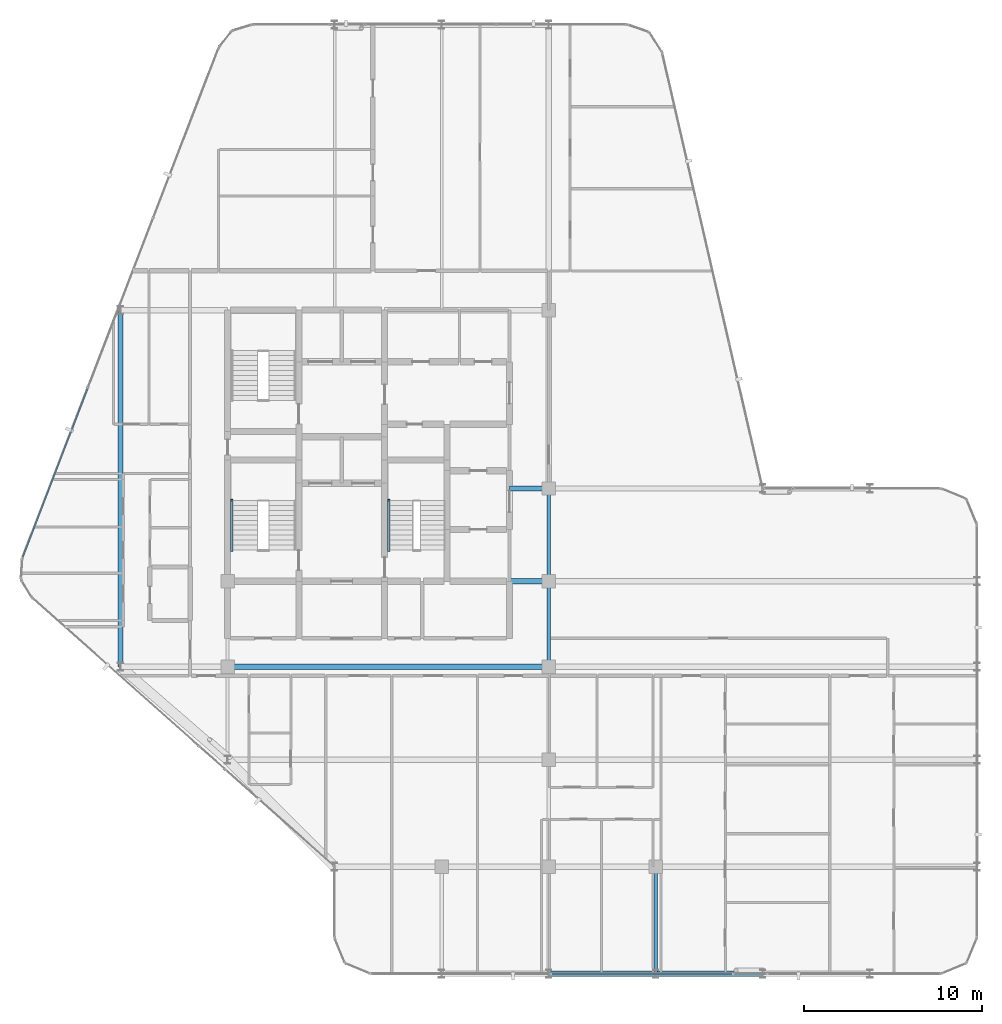
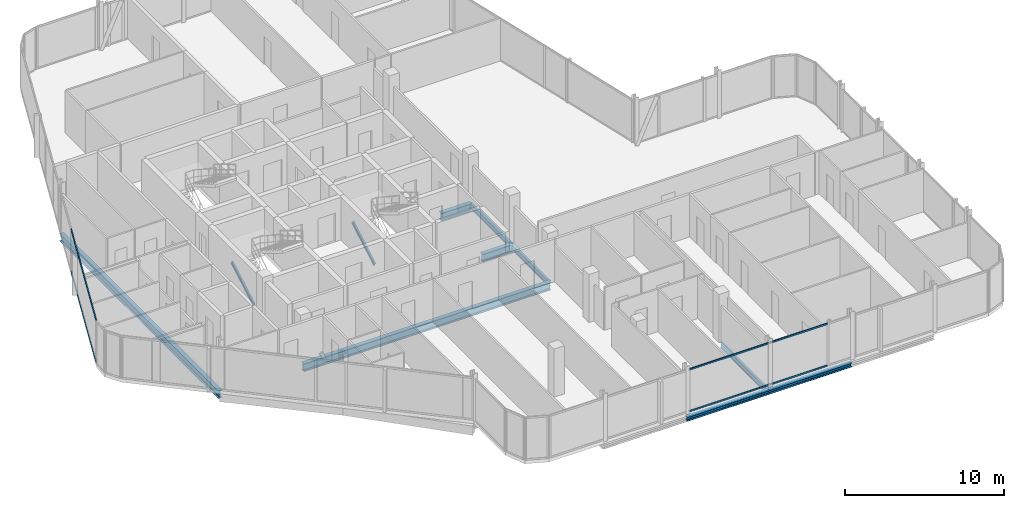
# One storey, part 9 of 28: 9 beams, 6 members, 2 elements without a shape of their own.
"""IFC4 building model written with IfcOpenShell, lengths in metres."""

from ifc_helpers import new_model, si_unit, direction, frame, origin, origin_2d, place, context, subcontext, project, spatial, hollow_rectangle, i_section, extrude, material, layer, layer_set, material_profile, profile_set, type_object, element, aggregate, save


model = new_model("IFC4")

# Units and contexts
model_context = context("Model", 3, precision=1e-05, world=origin(), true_north=direction((0.0, 1.0)))
body_context = subcontext(model_context, "Body", "Model", "MODEL_VIEW")
ifc_project = project(units=[si_unit("LENGTHUNIT", "METRE"), si_unit("AREAUNIT", "SQUARE_METRE"), si_unit("VOLUMEUNIT", "CUBIC_METRE"), si_unit("PLANEANGLEUNIT", "RADIAN"), si_unit("MASSUNIT", "GRAM", prefix="KILO")], contexts=[model_context])

# Site, building, storey
site_placement = place(None, origin())
site = spatial("IfcSite", under=ifc_project, at=site_placement, CompositionType="ELEMENT")
building_placement = place(site_placement, origin())
building = spatial("IfcBuilding", under=site, at=building_placement, Name="Keshet Zoharim Tower", CompositionType="ELEMENT")
storey_placement = place(building_placement, frame((0.0, 0.0, 233.89990234375)))
storey = spatial("IfcBuildingStorey", under=building, at=storey_placement, Name="L58", CompositionType="ELEMENT", Elevation=233.89990234375)

# Beams
ifc_material_1 = material(Name="Steel S355", Category="steel")
ifc_material_profile_1 = material_profile(ifc_material_1, i_section(OverallWidth=0.300048828125, OverallDepth=0.60009765625, WebThickness=0.015380859375, FlangeThickness=0.030029296875, FilletRadius=0.027099609375, at=origin_2d()), Name="HEB600")
ifc_profile_set_1 = profile_set([ifc_material_profile_1], Name="Steel S355")
beam_type_1 = type_object("IfcBeamType", Name="BM-CLK-HB600", PredefinedType="BEAM", material=ifc_profile_set_1)
for number, where, z_axis, x_axis, name in (
    (1, (30.800048828125, 22.699951171875, -0.60986328125), (1.0, 0.0, 0.0), (0.0, 1.0, 0.0), "L58 Core Wall Link Girder 01"),
    (2, (30.800048828125, 27.89990234375, -0.60986328125), (1.0, 0.0, 0.0), (0.0, 1.0, 0.0), "L58 Core Wall Link Girder 02"),
):
    element("IfcBeam", number, at=place(storey_placement, frame(where, z_axis=z_axis, x_axis=x_axis)), inside=storey, type_object=beam_type_1, Name=name, PredefinedType="BEAM", context=body_context, shape_type="SweptSolid", body=[
        extrude(i_section(OverallWidth=0.300048828125, OverallDepth=0.60009765625, WebThickness=0.015380859375, FlangeThickness=0.030029296875, FilletRadius=0.027099609375, at=origin_2d()), origin(), (0.0, 0.0, 1.0), 2.199951171875),
    ])
ifc_material_profile_2 = material_profile(ifc_material_1, i_section(OverallWidth=0.300048828125, OverallDepth=0.60009765625, WebThickness=0.015380859375, FlangeThickness=0.030029296875, FilletRadius=0.027099609375, at=origin_2d()), Name="HEB600")
ifc_profile_set_2 = profile_set([ifc_material_profile_2], Name="Steel S355")
beam_type_2 = type_object("IfcBeamType", Name="BM-LNG-HB600", PredefinedType="BEAM", material=ifc_profile_set_2)
beam_1_placement = place(storey_placement, frame((15.0, 17.89990234375, -0.60986328125), z_axis=(1.0, 0.0, 0.0), x_axis=(0.0, 1.0, 0.0)))
element("IfcBeam", 3, at=beam_1_placement, inside=storey, type_object=beam_type_2, Name="L58 Primary Girder X-012", PredefinedType="BEAM", context=body_context, shape_type="SweptSolid", body=[
    extrude(i_section(OverallWidth=0.300048828125, OverallDepth=0.60009765625, WebThickness=0.015380859375, FlangeThickness=0.030029296875, FilletRadius=0.027099609375, at=origin_2d()), origin(), (0.0, 0.0, 1.0), 18.0),
])
beam_2_placement = place(storey_placement, frame((9.0, 17.89990234375, -0.60986328125), z_axis=(0.0, 1.0, 0.0), x_axis=(-1.0, 0.0, 0.0)))
element("IfcBeam", 4, at=beam_2_placement, inside=storey, type_object=beam_type_2, Name="L58 Primary Girder Y-001", PredefinedType="BEAM", context=body_context, shape_type="SweptSolid", body=[
    extrude(i_section(OverallWidth=0.300048828125, OverallDepth=0.60009765625, WebThickness=0.015380859375, FlangeThickness=0.030029296875, FilletRadius=0.027099609375, at=origin_2d()), origin(), (0.0, 0.0, 1.0), 20.0),
])
ifc_material_profile_3 = material_profile(ifc_material_1, i_section(OverallWidth=0.300048828125, OverallDepth=0.300048828125, WebThickness=0.010986328125, FlangeThickness=0.01904296875, FilletRadius=0.027099609375, at=origin_2d()), Name="HEB300")
ifc_profile_set_3 = profile_set([ifc_material_profile_3], Name="Steel S355")
beam_type_3 = type_object("IfcBeamType", Name="BM-PRI-HB300", PredefinedType="BEAM", material=ifc_profile_set_3)
for number, where, z_axis, x_axis, name in (
    (5, (33.0, 0.699951171875, -0.4599609375), (1.0, 0.0, 0.0), (0.0, 1.0, 0.0), "L58 Primary Girder X-002"),
    (6, (39.0, 0.699951171875, -0.4599609375), (1.0, 0.0, 0.0), (0.0, 1.0, 0.0), "L58 Primary Girder X-003"),
):
    element("IfcBeam", number, at=place(storey_placement, frame(where, z_axis=z_axis, x_axis=x_axis)), inside=storey, type_object=beam_type_3, Name=name, PredefinedType="BEAM", context=body_context, shape_type="SweptSolid", body=[
        extrude(i_section(OverallWidth=0.300048828125, OverallDepth=0.300048828125, WebThickness=0.010986328125, FlangeThickness=0.01904296875, FilletRadius=0.027099609375, at=origin_2d()), origin(), (0.0, 0.0, 1.0), 6.0),
    ])
ifc_material_profile_4 = material_profile(ifc_material_1, i_section(OverallWidth=0.179931640625, OverallDepth=0.39990234375, WebThickness=0.008544921875, FlangeThickness=0.013427734375, FilletRadius=0.02099609375, at=origin_2d()), Name="IPE400")
ifc_profile_set_4 = profile_set([ifc_material_profile_4], Name="Steel S355")
beam_type_4 = type_object("IfcBeamType", Name="BM-PRI-IP400", PredefinedType="BEAM", material=ifc_profile_set_4)
beam_3_placement = place(storey_placement, frame((33.0, 17.89990234375, -0.510009765625), z_axis=(0.0, 1.0, 0.0), x_axis=(-1.0, 0.0, 0.0)))
element("IfcBeam", 7, at=beam_3_placement, inside=storey, type_object=beam_type_4, Name="L58 Primary Girder Y-008", PredefinedType="BEAM", context=body_context, shape_type="SweptSolid", body=[
    extrude(i_section(OverallWidth=0.179931640625, OverallDepth=0.39990234375, WebThickness=0.008544921875, FlangeThickness=0.013427734375, FilletRadius=0.02099609375, at=origin_2d()), origin(), (0.0, 0.0, 1.0), 4.800048828125),
])
beam_4_placement = place(storey_placement, frame((33.0, 22.699951171875, -0.510009765625), z_axis=(0.0, 1.0, 0.0), x_axis=(-1.0, 0.0, 0.0)))
element("IfcBeam", 8, at=beam_4_placement, inside=storey, type_object=beam_type_4, Name="L58 Primary Girder Y-009", PredefinedType="BEAM", context=body_context, shape_type="SweptSolid", body=[
    extrude(i_section(OverallWidth=0.179931640625, OverallDepth=0.39990234375, WebThickness=0.008544921875, FlangeThickness=0.013427734375, FilletRadius=0.02099609375, at=origin_2d()), origin(), (0.0, 0.0, 1.0), 5.199951171875),
])
beam_5_placement = place(storey_placement, frame((39.0, 0.699951171875, -0.510009765625), z_axis=(0.0, 1.0, 0.0), x_axis=(-1.0, 0.0, 0.0)))
element("IfcBeam", 9, at=beam_5_placement, inside=storey, type_object=beam_type_4, Name="L58 Primary Girder Y-012", PredefinedType="BEAM", context=body_context, shape_type="SweptSolid", body=[
    extrude(i_section(OverallWidth=0.179931640625, OverallDepth=0.39990234375, WebThickness=0.008544921875, FlangeThickness=0.013427734375, FilletRadius=0.02099609375, at=origin_2d()), origin(), (0.0, 0.0, 1.0), 6.0),
])

# Curtain wall, members
ifc_material_2 = material(Name="Aluminium 6063-T6", Category="aluminium")
ifc_layer = layer(ifc_material_2, 0.139892578125)
ifc_layer_set = layer_set([ifc_layer], Name="Aluminium 6063-T6")
curtain_wall_type = type_object("IfcCurtainWallType", Name="CW-SYS-05", PredefinedType="NOTDEFINED", material=ifc_layer_set)
curtain_wall_1_placement = place(storey_placement, origin())
curtain_wall_1 = element("IfcCurtainWall", 10, at=curtain_wall_1_placement, inside=storey, type_object=curtain_wall_type, Name="L58 Unitised Curtain Wall 06 Part 3", PredefinedType="NOTDEFINED")
ifc_material_profile_5 = material_profile(ifc_material_2, hollow_rectangle(XDim=0.074951171875, YDim=0.1201171875, WallThickness=0.00390625, at=origin_2d()), Name="TRN-75x120")
ifc_profile_set_5 = profile_set([ifc_material_profile_5], Name="Aluminium 6063-T6")
member_type_1 = type_object("IfcMemberType", Name="CWT-T12", PredefinedType="USERDEFINED", material=ifc_profile_set_5)
member_1_placement = place(storey_placement, frame((43.27587890625, 0.699951171875, 0.03515625), z_axis=(-1.0, 0.0, 0.0), x_axis=(0.0, -1.0, 0.0)))
member_1 = element("IfcMember", 11, at=member_1_placement, type_object=member_type_1, Name="CW-05 transom 1.1", ObjectType="TRANSOM", PredefinedType="USERDEFINED", context=body_context, shape_type="SweptSolid", body=[
    extrude(hollow_rectangle(XDim=0.074951171875, YDim=0.1201171875, WallThickness=0.00390625, at=origin_2d()), origin(), (0.0, 0.0, 1.0), 10.10302734375),
])
member_2_placement = place(storey_placement, frame((43.27587890625, 0.699951171875, 3.2451171875), z_axis=(-1.0, 0.0, 0.0), x_axis=(0.0, -1.0, 0.0)))
member_2 = element("IfcMember", 12, at=member_2_placement, type_object=member_type_1, Name="CW-05 transom 1.2", ObjectType="TRANSOM", PredefinedType="USERDEFINED", context=body_context, shape_type="SweptSolid", body=[
    extrude(hollow_rectangle(XDim=0.074951171875, YDim=0.1201171875, WallThickness=0.00390625, at=origin_2d()), origin(), (0.0, 0.0, 1.0), 10.10302734375),
])
aggregate(curtain_wall_1, [member_1, member_2])

curtain_wall_2_placement = place(storey_placement, origin())
curtain_wall_2 = element("IfcCurtainWall", 13, at=curtain_wall_2_placement, inside=storey, type_object=curtain_wall_type, Name="L58 Unitised Curtain Wall 13", PredefinedType="NOTDEFINED")
member_3_placement = place(storey_placement, frame((3.522216796875, 24.058349609375, 0.03515625), z_axis=(0.358993631387, 0.93334000912, 0.0), x_axis=(-0.93334000912, 0.358993631387, 0.0)))
member_3 = element("IfcMember", 14, at=member_3_placement, type_object=member_type_1, Name="CW-05 transom 1.1", ObjectType="TRANSOM", PredefinedType="USERDEFINED", context=body_context, shape_type="SweptSolid", body=[
    extrude(hollow_rectangle(XDim=0.074951171875, YDim=0.1201171875, WallThickness=0.00390625, at=origin_2d()), origin(), (0.0, 0.0, 1.0), 10.1181640625),
])
member_4_placement = place(storey_placement, frame((3.522216796875, 24.058349609375, 3.2451171875), z_axis=(0.358993631387, 0.93334000912, 0.0), x_axis=(-0.93334000912, 0.358993631387, 0.0)))
member_4 = element("IfcMember", 15, at=member_4_placement, type_object=member_type_1, Name="CW-05 transom 1.2", ObjectType="TRANSOM", PredefinedType="USERDEFINED", context=body_context, shape_type="SweptSolid", body=[
    extrude(hollow_rectangle(XDim=0.074951171875, YDim=0.1201171875, WallThickness=0.00390625, at=origin_2d()), origin(), (0.0, 0.0, 1.0), 10.1181640625),
])
aggregate(curtain_wall_2, [member_3, member_4])

# Members
ifc_material_profile_6 = material_profile(ifc_material_1, i_section(OverallWidth=0.1201171875, OverallDepth=0.239990234375, WebThickness=0.006103515625, FlangeThickness=0.009765625, FilletRadius=0.014892578125, at=origin_2d()), Name="IPE240")
ifc_profile_set_6 = profile_set([ifc_material_profile_6], Name="Steel S355")
member_type_2 = type_object("IfcMemberType", Name="MB-STRG-IP240", PredefinedType="STRINGER", material=ifc_profile_set_6)
for number, where, z_axis, x_axis, name in (
    (16, (15.22998046875, 24.43994140625, 0.1201171875), (0.0, 0.866928350432, 0.498432779035), (-1.0, 0.0, 0.0), "L58 ST-01 Flight Steel Stringer"),
    (17, (24.030029296875, 24.43994140625, 0.1201171875), (0.0, 0.866928350432, 0.498432779035), (-1.0, 0.0, 0.0), "L58 ST-03 Flight Steel Stringer"),
):
    element("IfcMember", number, at=place(storey_placement, frame(where, z_axis=z_axis, x_axis=x_axis)), inside=storey, type_object=member_type_2, Name=name, PredefinedType="STRINGER", context=body_context, shape_type="SweptSolid", body=[
        extrude(i_section(OverallWidth=0.1201171875, OverallDepth=0.239990234375, WebThickness=0.006103515625, FlangeThickness=0.009765625, FilletRadius=0.014892578125, at=origin_2d()), origin(), (0.0, 0.0, 1.0), 3.229736328125),
    ])

save(model, "model.ifc")
